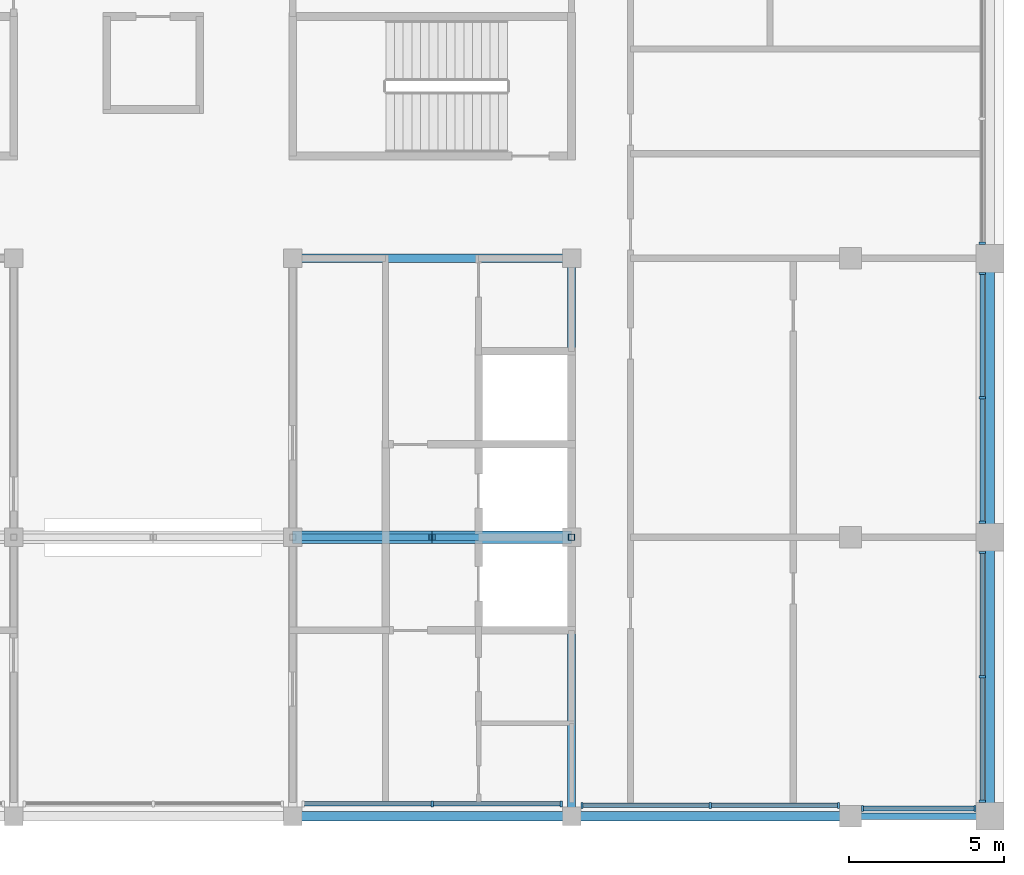
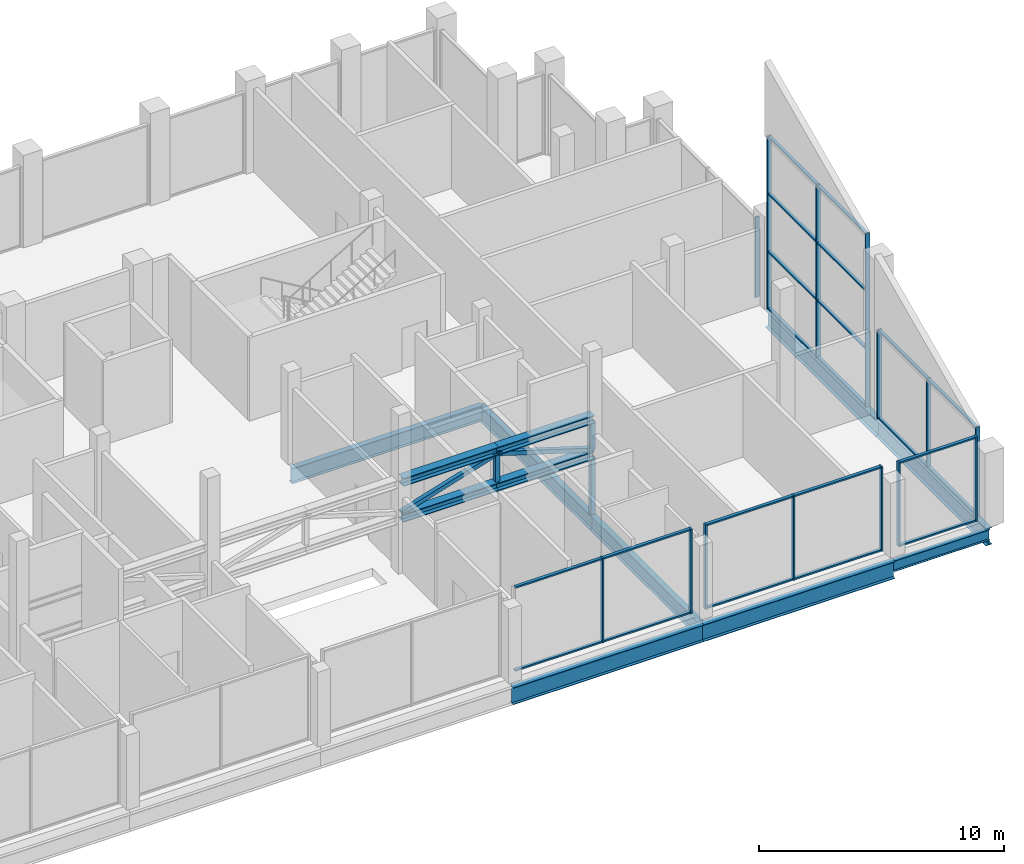
# One storey, part 5 of 14: 45 members, 8 beams, 6 elements without a shape of their own.
"""IFC4 building model written with IfcOpenShell, lengths in metres."""

from ifc_helpers import new_model, si_unit, direction, frame, origin, origin_2d, place, context, subcontext, project, spatial, rectangle, hollow_rectangle, i_section, extrude, material, layer, layer_set, material_profile, profile_set, type_object, element, aggregate, save


model = new_model("IFC4")

# Units and contexts
model_context = context("Model", 3, precision=1e-05, world=origin(), true_north=direction((0.0, 1.0)))
body_context = subcontext(model_context, "Body", "Model", "MODEL_VIEW")
ifc_project = project(units=[si_unit("LENGTHUNIT", "METRE"), si_unit("AREAUNIT", "SQUARE_METRE"), si_unit("VOLUMEUNIT", "CUBIC_METRE"), si_unit("PLANEANGLEUNIT", "RADIAN"), si_unit("MASSUNIT", "GRAM", prefix="KILO")], contexts=[model_context])

# Site, building, storey
site_placement = place(None, origin())
site = spatial("IfcSite", under=ifc_project, at=site_placement, CompositionType="ELEMENT")
building_placement = place(site_placement, origin())
building = spatial("IfcBuilding", under=site, at=building_placement, Name="Corbelhall Arena Tower", CompositionType="ELEMENT")
storey_placement = place(building_placement, frame((0.0, 0.0, 376.0)))
storey = spatial("IfcBuildingStorey", under=building, at=storey_placement, Name="L81", CompositionType="ELEMENT", Elevation=376.0)

# Curtain wall, members
ifc_material_1 = material(Name="Aluminium black anodised", Category="aluminium")
ifc_layer = layer(ifc_material_1, 0.179931640625)
ifc_layer_set = layer_set([ifc_layer], Name="EV-CW3 Crown glazing")
curtain_wall_type = type_object("IfcCurtainWallType", Name="EV-CW3 Crown glazing", PredefinedType="NOTDEFINED", material=ifc_layer_set)
curtain_wall_1_placement = place(storey_placement, origin())
curtain_wall_1 = element("IfcCurtainWall", 1, at=curtain_wall_1_placement, inside=storey, type_object=curtain_wall_type, Name="Curtain wall CW3D", PredefinedType="NOTDEFINED")
ifc_material_profile_1 = material_profile(ifc_material_1, rectangle(XDim=0.199951171875, YDim=0.074951171875, at=origin_2d()))
ifc_profile_set_1 = profile_set([ifc_material_profile_1], Name="Aluminium black anodised")
member_type_1 = type_object("IfcMemberType", Name="EV-CW3-MULLION", PredefinedType="MULLION", material=ifc_profile_set_1)
member_1_placement = place(storey_placement, frame((9.0, -8.60009765625, 0.0), z_axis=(0.0, 0.0, 1.0), x_axis=(0.0, 1.0, 0.0)))
member_1 = element("IfcMember", 2, at=member_1_placement, type_object=member_type_1, Name="CW3D mullion 2", PredefinedType="MULLION", context=body_context, shape_type="SweptSolid", body=[
    extrude(rectangle(XDim=0.199951171875, YDim=0.074951171875, at=origin_2d()), origin(), (0.0, 0.0, 1.0), 4.20654296875),
])
member_2_placement = place(storey_placement, frame((13.16259765625, -8.60009765625, 0.0), z_axis=(0.0, 0.0, 1.0), x_axis=(0.0, 1.0, 0.0)))
member_2 = element("IfcMember", 3, at=member_2_placement, type_object=member_type_1, Name="CW3D mullion 3", PredefinedType="MULLION", context=body_context, shape_type="SweptSolid", body=[
    extrude(rectangle(XDim=0.199951171875, YDim=0.074951171875, at=origin_2d()), origin(), (0.0, 0.0, 1.0), 4.20654296875),
])

curtain_wall_2_placement = place(storey_placement, origin())
curtain_wall_2 = element("IfcCurtainWall", 4, at=curtain_wall_2_placement, inside=storey, type_object=curtain_wall_type, Name="Curtain wall CW3H", PredefinedType="NOTDEFINED")
member_3_placement = place(storey_placement, frame((13.83740234375, -8.64990234375, 0.0), z_axis=(0.0, 0.0, 1.0), x_axis=(0.0, 1.0, 0.0)))
member_3 = element("IfcMember", 5, at=member_3_placement, type_object=member_type_1, Name="CW3H mullion 1", PredefinedType="MULLION", context=body_context, shape_type="SweptSolid", body=[
    extrude(rectangle(XDim=0.199951171875, YDim=0.074951171875, at=origin_2d()), origin(), (0.0, 0.0, 1.0), 4.20654296875),
])
member_4_placement = place(storey_placement, frame((17.97509765625, -8.64990234375, 0.0), z_axis=(0.0, 0.0, 1.0), x_axis=(0.0, 1.0, 0.0)))
member_4 = element("IfcMember", 6, at=member_4_placement, type_object=member_type_1, Name="CW3H mullion 2", PredefinedType="MULLION", context=body_context, shape_type="SweptSolid", body=[
    extrude(rectangle(XDim=0.199951171875, YDim=0.074951171875, at=origin_2d()), origin(), (0.0, 0.0, 1.0), 4.20654296875),
])
member_5_placement = place(storey_placement, frame((22.112548828125, -8.64990234375, 0.0), z_axis=(0.0, 0.0, 1.0), x_axis=(0.0, 1.0, 0.0)))
member_5 = element("IfcMember", 7, at=member_5_placement, type_object=member_type_1, Name="CW3H mullion 3", PredefinedType="MULLION", context=body_context, shape_type="SweptSolid", body=[
    extrude(rectangle(XDim=0.199951171875, YDim=0.074951171875, at=origin_2d()), origin(), (0.0, 0.0, 1.0), 4.20654296875),
])

curtain_wall_3_placement = place(storey_placement, origin())
curtain_wall_3 = element("IfcCurtainWall", 8, at=curtain_wall_3_placement, inside=storey, type_object=curtain_wall_type, Name="Curtain wall CW3E", PredefinedType="NOTDEFINED")
member_6_placement = place(storey_placement, frame((22.887451171875, -8.75, 0.0), z_axis=(0.0, 0.0, 1.0), x_axis=(0.0, 1.0, 0.0)))
member_6 = element("IfcMember", 9, at=member_6_placement, type_object=member_type_1, Name="CW3E mullion 1", PredefinedType="MULLION", context=body_context, shape_type="SweptSolid", body=[
    extrude(rectangle(XDim=0.199951171875, YDim=0.074951171875, at=origin_2d()), origin(), (0.0, 0.0, 1.0), 4.20654296875),
])
member_7_placement = place(storey_placement, frame((26.512451171875, -8.75, 0.0), z_axis=(0.0, 0.0, 1.0), x_axis=(0.0, 1.0, 0.0)))
member_7 = element("IfcMember", 10, at=member_7_placement, type_object=member_type_1, Name="CW3E mullion 2", PredefinedType="MULLION", context=body_context, shape_type="SweptSolid", body=[
    extrude(rectangle(XDim=0.199951171875, YDim=0.074951171875, at=origin_2d()), origin(), (0.0, 0.0, 1.0), 4.20654296875),
])

curtain_wall_4_placement = place(storey_placement, origin())
curtain_wall_4 = element("IfcCurtainWall", 11, at=curtain_wall_4_placement, inside=storey, type_object=curtain_wall_type, Name="Curtain wall CW3F", PredefinedType="NOTDEFINED")
member_8_placement = place(storey_placement, frame((26.75, -8.512451171875, 0.0), z_axis=(0.0, 0.0, 1.0), x_axis=(-1.0, 0.0, 0.0)))
member_8 = element("IfcMember", 12, at=member_8_placement, type_object=member_type_1, Name="CW3F mullion 1", PredefinedType="MULLION", context=body_context, shape_type="SweptSolid", body=[
    extrude(rectangle(XDim=0.199951171875, YDim=0.074951171875, at=origin_2d()), origin(), (0.0, 0.0, 1.0), 4.439453125),
])
member_9_placement = place(storey_placement, frame((26.75, -4.5, 0.0), z_axis=(0.0, 0.0, 1.0), x_axis=(-1.0, 0.0, 0.0)))
member_9 = element("IfcMember", 13, at=member_9_placement, type_object=member_type_1, Name="CW3F mullion 2", PredefinedType="MULLION", context=body_context, shape_type="SweptSolid", body=[
    extrude(rectangle(XDim=0.199951171875, YDim=0.074951171875, at=origin_2d()), origin(), (0.0, 0.0, 1.0), 4.439453125),
])
member_10_placement = place(storey_placement, frame((26.75, -0.487548828125, 0.0), z_axis=(0.0, 0.0, 1.0), x_axis=(-1.0, 0.0, 0.0)))
member_10 = element("IfcMember", 14, at=member_10_placement, type_object=member_type_1, Name="CW3F mullion 3", PredefinedType="MULLION", context=body_context, shape_type="SweptSolid", body=[
    extrude(rectangle(XDim=0.199951171875, YDim=0.074951171875, at=origin_2d()), origin(), (0.0, 0.0, 1.0), 4.439453125),
])

curtain_wall_5_placement = place(storey_placement, origin())
curtain_wall_5 = element("IfcCurtainWall", 15, at=curtain_wall_5_placement, inside=storey, type_object=curtain_wall_type, Name="Curtain wall CW3G", PredefinedType="NOTDEFINED")
member_11_placement = place(storey_placement, frame((26.75, 0.487548828125, 0.0), z_axis=(0.0, 0.0, 1.0), x_axis=(-1.0, 0.0, 0.0)))
member_11 = element("IfcMember", 16, at=member_11_placement, type_object=member_type_1, Name="CW3G mullion 1", PredefinedType="MULLION", context=body_context, shape_type="SweptSolid", body=[
    extrude(rectangle(XDim=0.199951171875, YDim=0.074951171875, at=origin_2d()), origin(), (0.0, 0.0, 1.0), 8.633056640625),
])
member_12_placement = place(storey_placement, frame((26.75, 4.5, 0.0), z_axis=(0.0, 0.0, 1.0), x_axis=(-1.0, 0.0, 0.0)))
member_12 = element("IfcMember", 17, at=member_12_placement, type_object=member_type_1, Name="CW3G mullion 2", PredefinedType="MULLION", context=body_context, shape_type="SweptSolid", body=[
    extrude(rectangle(XDim=0.199951171875, YDim=0.074951171875, at=origin_2d()), origin(), (0.0, 0.0, 1.0), 8.633056640625),
])
member_13_placement = place(storey_placement, frame((26.75, 8.512451171875, 0.0), z_axis=(0.0, 0.0, 1.0), x_axis=(-1.0, 0.0, 0.0)))
member_13 = element("IfcMember", 18, at=member_13_placement, type_object=member_type_1, Name="CW3G mullion 3", PredefinedType="MULLION", context=body_context, shape_type="SweptSolid", body=[
    extrude(rectangle(XDim=0.199951171875, YDim=0.074951171875, at=origin_2d()), origin(), (0.0, 0.0, 1.0), 8.633056640625),
])

# Curtain wall, member
curtain_wall_6_placement = place(storey_placement, origin())
curtain_wall_6 = element("IfcCurtainWall", 19, at=curtain_wall_6_placement, inside=storey, type_object=curtain_wall_type, Name="Curtain wall CW3", PredefinedType="NOTDEFINED")
member_14_placement = place(storey_placement, frame((26.75, 9.487548828125, 0.0), z_axis=(0.0, 0.0, 1.0), x_axis=(-1.0, 0.0, 0.0)))
member_14 = element("IfcMember", 20, at=member_14_placement, type_object=member_type_1, Name="CW3 mullion 1", PredefinedType="MULLION", context=body_context, shape_type="SweptSolid", body=[
    extrude(rectangle(XDim=0.199951171875, YDim=0.074951171875, at=origin_2d()), origin(), (0.0, 0.0, 1.0), 3.99951171875),
])
aggregate(curtain_wall_6, [member_14])

# Member
ifc_material_profile_2 = material_profile(ifc_material_1, rectangle(XDim=0.14990234375, YDim=0.074951171875, at=origin_2d()))
ifc_profile_set_2 = profile_set([ifc_material_profile_2], Name="Aluminium black anodised")
member_type_2 = type_object("IfcMemberType", Name="EV-CW3-TRANSOM", PredefinedType="USERDEFINED", material=ifc_profile_set_2)
member_15_placement = place(storey_placement, frame((4.875, -8.60009765625, 0.03759765625), z_axis=(1.0, 0.0, 0.0), x_axis=(0.0, 1.0, 0.0)))
member_15 = element("IfcMember", 21, at=member_15_placement, type_object=member_type_2, Name="CW3D transom 1.1", ObjectType="transom", PredefinedType="USERDEFINED", context=body_context, shape_type="SweptSolid", body=[
    extrude(rectangle(XDim=0.14990234375, YDim=0.074951171875, at=origin_2d()), origin(), (0.0, 0.0, 1.0), 4.08740234375),
])

member_16_placement = place(storey_placement, frame((4.875, -8.60009765625, 4.1689453125), z_axis=(1.0, 0.0, 0.0), x_axis=(0.0, 1.0, 0.0)))
member_16 = element("IfcMember", 22, at=member_16_placement, type_object=member_type_2, Name="CW3D transom 1.2", ObjectType="transom", PredefinedType="USERDEFINED", context=body_context, shape_type="SweptSolid", body=[
    extrude(rectangle(XDim=0.14990234375, YDim=0.074951171875, at=origin_2d()), origin(), (0.0, 0.0, 1.0), 4.08740234375),
])

member_17_placement = place(storey_placement, frame((9.03759765625, -8.60009765625, 0.03759765625), z_axis=(1.0, 0.0, 0.0), x_axis=(0.0, 1.0, 0.0)))
member_17 = element("IfcMember", 23, at=member_17_placement, type_object=member_type_2, Name="CW3D transom 2.1", ObjectType="transom", PredefinedType="USERDEFINED", context=body_context, shape_type="SweptSolid", body=[
    extrude(rectangle(XDim=0.14990234375, YDim=0.074951171875, at=origin_2d()), origin(), (0.0, 0.0, 1.0), 4.08740234375),
])

member_18_placement = place(storey_placement, frame((9.03759765625, -8.60009765625, 4.1689453125), z_axis=(1.0, 0.0, 0.0), x_axis=(0.0, 1.0, 0.0)))
member_18 = element("IfcMember", 24, at=member_18_placement, type_object=member_type_2, Name="CW3D transom 2.2", ObjectType="transom", PredefinedType="USERDEFINED", context=body_context, shape_type="SweptSolid", body=[
    extrude(rectangle(XDim=0.14990234375, YDim=0.074951171875, at=origin_2d()), origin(), (0.0, 0.0, 1.0), 4.08740234375),
])

aggregate(curtain_wall_1, [member_1, member_2, member_15, member_16, member_17, member_18])

member_19_placement = place(storey_placement, frame((13.875, -8.64990234375, 0.03759765625), z_axis=(1.0, 0.0, 0.0), x_axis=(0.0, 1.0, 0.0)))
member_19 = element("IfcMember", 25, at=member_19_placement, type_object=member_type_2, Name="CW3H transom 1.1", ObjectType="transom", PredefinedType="USERDEFINED", context=body_context, shape_type="SweptSolid", body=[
    extrude(rectangle(XDim=0.14990234375, YDim=0.074951171875, at=origin_2d()), origin(), (0.0, 0.0, 1.0), 4.0625),
])

member_20_placement = place(storey_placement, frame((13.875, -8.64990234375, 4.1689453125), z_axis=(1.0, 0.0, 0.0), x_axis=(0.0, 1.0, 0.0)))
member_20 = element("IfcMember", 26, at=member_20_placement, type_object=member_type_2, Name="CW3H transom 1.2", ObjectType="transom", PredefinedType="USERDEFINED", context=body_context, shape_type="SweptSolid", body=[
    extrude(rectangle(XDim=0.14990234375, YDim=0.074951171875, at=origin_2d()), origin(), (0.0, 0.0, 1.0), 4.0625),
])

member_21_placement = place(storey_placement, frame((18.012451171875, -8.64990234375, 0.03759765625), z_axis=(1.0, 0.0, 0.0), x_axis=(0.0, 1.0, 0.0)))
member_21 = element("IfcMember", 27, at=member_21_placement, type_object=member_type_2, Name="CW3H transom 2.1", ObjectType="transom", PredefinedType="USERDEFINED", context=body_context, shape_type="SweptSolid", body=[
    extrude(rectangle(XDim=0.14990234375, YDim=0.074951171875, at=origin_2d()), origin(), (0.0, 0.0, 1.0), 4.0625),
])

member_22_placement = place(storey_placement, frame((18.012451171875, -8.64990234375, 4.1689453125), z_axis=(1.0, 0.0, 0.0), x_axis=(0.0, 1.0, 0.0)))
member_22 = element("IfcMember", 28, at=member_22_placement, type_object=member_type_2, Name="CW3H transom 2.2", ObjectType="transom", PredefinedType="USERDEFINED", context=body_context, shape_type="SweptSolid", body=[
    extrude(rectangle(XDim=0.14990234375, YDim=0.074951171875, at=origin_2d()), origin(), (0.0, 0.0, 1.0), 4.0625),
])

aggregate(curtain_wall_2, [member_3, member_4, member_5, member_19, member_20, member_21, member_22])

member_23_placement = place(storey_placement, frame((22.925048828125, -8.75, 0.03759765625), z_axis=(1.0, 0.0, 0.0), x_axis=(0.0, 1.0, 0.0)))
member_23 = element("IfcMember", 29, at=member_23_placement, type_object=member_type_2, Name="CW3E transom 1.1", ObjectType="transom", PredefinedType="USERDEFINED", context=body_context, shape_type="SweptSolid", body=[
    extrude(rectangle(XDim=0.14990234375, YDim=0.074951171875, at=origin_2d()), origin(), (0.0, 0.0, 1.0), 3.550048828125),
])

member_24_placement = place(storey_placement, frame((22.925048828125, -8.75, 4.1689453125), z_axis=(1.0, 0.0, 0.0), x_axis=(0.0, 1.0, 0.0)))
member_24 = element("IfcMember", 30, at=member_24_placement, type_object=member_type_2, Name="CW3E transom 1.2", ObjectType="transom", PredefinedType="USERDEFINED", context=body_context, shape_type="SweptSolid", body=[
    extrude(rectangle(XDim=0.14990234375, YDim=0.074951171875, at=origin_2d()), origin(), (0.0, 0.0, 1.0), 3.550048828125),
])

aggregate(curtain_wall_3, [member_6, member_7, member_23, member_24])

member_25_placement = place(storey_placement, frame((26.75, -8.47509765625, 0.03759765625), z_axis=(0.0, 1.0, 0.0), x_axis=(-1.0, 0.0, 0.0)))
member_25 = element("IfcMember", 31, at=member_25_placement, type_object=member_type_2, Name="CW3F transom 1.1", ObjectType="transom", PredefinedType="USERDEFINED", context=body_context, shape_type="SweptSolid", body=[
    extrude(rectangle(XDim=0.14990234375, YDim=0.074951171875, at=origin_2d()), origin(), (0.0, 0.0, 1.0), 3.9375),
])

member_26_placement = place(storey_placement, frame((26.75, -8.47509765625, 4.40185546875), z_axis=(0.0, 1.0, 0.0), x_axis=(-1.0, 0.0, 0.0)))
member_26 = element("IfcMember", 32, at=member_26_placement, type_object=member_type_2, Name="CW3F transom 1.2", ObjectType="transom", PredefinedType="USERDEFINED", context=body_context, shape_type="SweptSolid", body=[
    extrude(rectangle(XDim=0.14990234375, YDim=0.074951171875, at=origin_2d()), origin(), (0.0, 0.0, 1.0), 3.9375),
])

member_27_placement = place(storey_placement, frame((26.75, -4.46240234375, 0.03759765625), z_axis=(0.0, 1.0, 0.0), x_axis=(-1.0, 0.0, 0.0)))
member_27 = element("IfcMember", 33, at=member_27_placement, type_object=member_type_2, Name="CW3F transom 2.1", ObjectType="transom", PredefinedType="USERDEFINED", context=body_context, shape_type="SweptSolid", body=[
    extrude(rectangle(XDim=0.14990234375, YDim=0.074951171875, at=origin_2d()), origin(), (0.0, 0.0, 1.0), 3.9375),
])

member_28_placement = place(storey_placement, frame((26.75, -4.46240234375, 4.40185546875), z_axis=(0.0, 1.0, 0.0), x_axis=(-1.0, 0.0, 0.0)))
member_28 = element("IfcMember", 34, at=member_28_placement, type_object=member_type_2, Name="CW3F transom 2.2", ObjectType="transom", PredefinedType="USERDEFINED", context=body_context, shape_type="SweptSolid", body=[
    extrude(rectangle(XDim=0.14990234375, YDim=0.074951171875, at=origin_2d()), origin(), (0.0, 0.0, 1.0), 3.9375),
])

aggregate(curtain_wall_4, [member_8, member_9, member_10, member_25, member_26, member_27, member_28])

member_29_placement = place(storey_placement, frame((26.75, 0.52490234375, 0.03759765625), z_axis=(0.0, 1.0, 0.0), x_axis=(-1.0, 0.0, 0.0)))
member_29 = element("IfcMember", 35, at=member_29_placement, type_object=member_type_2, Name="CW3G transom 1.1", ObjectType="transom", PredefinedType="USERDEFINED", context=body_context, shape_type="SweptSolid", body=[
    extrude(rectangle(XDim=0.14990234375, YDim=0.074951171875, at=origin_2d()), origin(), (0.0, 0.0, 1.0), 3.9375),
])

member_30_placement = place(storey_placement, frame((26.75, 0.52490234375, 2.877685546875), z_axis=(0.0, 1.0, 0.0), x_axis=(-1.0, 0.0, 0.0)))
member_30 = element("IfcMember", 36, at=member_30_placement, type_object=member_type_2, Name="CW3G transom 1.2", ObjectType="transom", PredefinedType="USERDEFINED", context=body_context, shape_type="SweptSolid", body=[
    extrude(rectangle(XDim=0.14990234375, YDim=0.074951171875, at=origin_2d()), origin(), (0.0, 0.0, 1.0), 3.9375),
])

member_31_placement = place(storey_placement, frame((26.75, 0.52490234375, 5.75537109375), z_axis=(0.0, 1.0, 0.0), x_axis=(-1.0, 0.0, 0.0)))
member_31 = element("IfcMember", 37, at=member_31_placement, type_object=member_type_2, Name="CW3G transom 1.3", ObjectType="transom", PredefinedType="USERDEFINED", context=body_context, shape_type="SweptSolid", body=[
    extrude(rectangle(XDim=0.14990234375, YDim=0.074951171875, at=origin_2d()), origin(), (0.0, 0.0, 1.0), 3.9375),
])

member_32_placement = place(storey_placement, frame((26.75, 0.52490234375, 8.595458984375), z_axis=(0.0, 1.0, 0.0), x_axis=(-1.0, 0.0, 0.0)))
member_32 = element("IfcMember", 38, at=member_32_placement, type_object=member_type_2, Name="CW3G transom 1.4", ObjectType="transom", PredefinedType="USERDEFINED", context=body_context, shape_type="SweptSolid", body=[
    extrude(rectangle(XDim=0.14990234375, YDim=0.074951171875, at=origin_2d()), origin(), (0.0, 0.0, 1.0), 3.9375),
])

member_33_placement = place(storey_placement, frame((26.75, 4.53759765625, 0.03759765625), z_axis=(0.0, 1.0, 0.0), x_axis=(-1.0, 0.0, 0.0)))
member_33 = element("IfcMember", 39, at=member_33_placement, type_object=member_type_2, Name="CW3G transom 2.1", ObjectType="transom", PredefinedType="USERDEFINED", context=body_context, shape_type="SweptSolid", body=[
    extrude(rectangle(XDim=0.14990234375, YDim=0.074951171875, at=origin_2d()), origin(), (0.0, 0.0, 1.0), 3.9375),
])

member_34_placement = place(storey_placement, frame((26.75, 4.53759765625, 2.877685546875), z_axis=(0.0, 1.0, 0.0), x_axis=(-1.0, 0.0, 0.0)))
member_34 = element("IfcMember", 40, at=member_34_placement, type_object=member_type_2, Name="CW3G transom 2.2", ObjectType="transom", PredefinedType="USERDEFINED", context=body_context, shape_type="SweptSolid", body=[
    extrude(rectangle(XDim=0.14990234375, YDim=0.074951171875, at=origin_2d()), origin(), (0.0, 0.0, 1.0), 3.9375),
])

member_35_placement = place(storey_placement, frame((26.75, 4.53759765625, 5.75537109375), z_axis=(0.0, 1.0, 0.0), x_axis=(-1.0, 0.0, 0.0)))
member_35 = element("IfcMember", 41, at=member_35_placement, type_object=member_type_2, Name="CW3G transom 2.3", ObjectType="transom", PredefinedType="USERDEFINED", context=body_context, shape_type="SweptSolid", body=[
    extrude(rectangle(XDim=0.14990234375, YDim=0.074951171875, at=origin_2d()), origin(), (0.0, 0.0, 1.0), 3.9375),
])

member_36_placement = place(storey_placement, frame((26.75, 4.53759765625, 8.595458984375), z_axis=(0.0, 1.0, 0.0), x_axis=(-1.0, 0.0, 0.0)))
member_36 = element("IfcMember", 42, at=member_36_placement, type_object=member_type_2, Name="CW3G transom 2.4", ObjectType="transom", PredefinedType="USERDEFINED", context=body_context, shape_type="SweptSolid", body=[
    extrude(rectangle(XDim=0.14990234375, YDim=0.074951171875, at=origin_2d()), origin(), (0.0, 0.0, 1.0), 3.9375),
])

aggregate(curtain_wall_5, [member_11, member_12, member_13, member_29, member_30, member_31, member_32, member_33, member_34, member_35, member_36])

# Beams
ifc_material_2 = material(Name="Steel ASTM A992 Gr50", Category="steel")
ifc_material_profile_3 = material_profile(ifc_material_2, i_section(OverallWidth=0.2666015625, OverallDepth=0.761962890625, WebThickness=0.014404296875, FlangeThickness=0.021484375, at=origin_2d()))
ifc_profile_set_3 = profile_set([ifc_material_profile_3], Name="Steel ASTM A992 Gr50")
beam_type_1 = type_object("IfcBeamType", Name="ST-BEAM-W30x116", PredefinedType="BEAM", material=ifc_profile_set_3)
for number, where, z_axis, x_axis, name in (
    (43, (13.5, -9.0, -0.781494140625), (0.0, 1.0, 0.0), (-1.0, 0.0, 0.0), "Beam CEE 8"),
    (44, (13.5, 0.0, -0.781494140625), (0.0, 1.0, 0.0), (-1.0, 0.0, 0.0), "Beam CEE 9"),
    (45, (4.5, 9.0, -0.781494140625), (1.0, 0.0, 0.0), (0.0, 1.0, 0.0), "Beam CEE 10"),
):
    element("IfcBeam", number, at=place(storey_placement, frame(where, z_axis=z_axis, x_axis=x_axis)), inside=storey, type_object=beam_type_1, Name=name, PredefinedType="BEAM", context=body_context, shape_type="SweptSolid", body=[
        extrude(i_section(OverallWidth=0.2666015625, OverallDepth=0.761962890625, WebThickness=0.014404296875, FlangeThickness=0.021484375, at=origin_2d()), origin(), (0.0, 0.0, 1.0), 9.0),
    ])

# Members
ifc_material_profile_4 = material_profile(ifc_material_2, i_section(OverallWidth=0.398681640625, OverallDepth=0.393798828125, WebThickness=0.022705078125, FlangeThickness=0.03662109375, at=origin_2d()))
ifc_profile_set_4 = profile_set([ifc_material_profile_4], Name="Steel ASTM A992 Gr50")
member_type_3 = type_object("IfcMemberType", Name="ST-CHORD-W14x193", PredefinedType="CHORD", material=ifc_profile_set_4)
for number, where, z_axis, x_axis, name in (
    (46, (4.5, 0.0, 2.616943359375), (1.0, 0.0, 0.0), (0.0, 1.0, 0.0), "Damper truss chord BC 5"),
    (47, (9.0, 0.0, 2.616943359375), (1.0, 0.0, 0.0), (0.0, 1.0, 0.0), "Damper truss chord BC 6"),
    (48, (4.5, 0.0, 4.40283203125), (1.0, 0.0, 0.0), (0.0, 1.0, 0.0), "Damper truss chord TC 5"),
    (49, (9.0, 0.0, 4.40283203125), (1.0, 0.0, 0.0), (0.0, 1.0, 0.0), "Damper truss chord TC 6"),
):
    element("IfcMember", number, at=place(storey_placement, frame(where, z_axis=z_axis, x_axis=x_axis)), inside=storey, type_object=member_type_3, Name=name, PredefinedType="CHORD", context=body_context, shape_type="SweptSolid", body=[
        extrude(i_section(OverallWidth=0.398681640625, OverallDepth=0.393798828125, WebThickness=0.022705078125, FlangeThickness=0.03662109375, at=origin_2d()), origin(), (0.0, 0.0, 1.0), 4.5),
    ])
ifc_material_3 = material(Name="Steel ASTM A500 Gr C", Category="steel")
ifc_material_profile_5 = material_profile(ifc_material_3, hollow_rectangle(XDim=0.203125, YDim=0.203125, WallThickness=0.0087890625, at=origin_2d()))
ifc_profile_set_5 = profile_set([ifc_material_profile_5], Name="Steel ASTM A500 Gr C")
member_type_4 = type_object("IfcMemberType", Name="ST-POST-HSS8x8x3/8", PredefinedType="POST", material=ifc_profile_set_5)
member_37_placement = place(storey_placement, frame((13.5, 0.0, -0.400390625), z_axis=(0.0, 0.0, 1.0), x_axis=(1.0, 0.0, 0.0)))
element("IfcMember", 50, at=member_37_placement, inside=storey, type_object=member_type_4, Name="Damper truss foot post 2", PredefinedType="POST", context=body_context, shape_type="SweptSolid", body=[
    extrude(hollow_rectangle(XDim=0.203125, YDim=0.203125, WallThickness=0.0087890625, at=origin_2d()), origin(), (0.0, 0.0, 1.0), 2.8203125),
])
for number, where, z_axis, x_axis, name in (
    (51, (9.0, 0.0, 2.813720703125), (0.0, 0.0, 1.0), (1.0, 0.0, 0.0), "Damper truss post 6"),
    (52, (13.5, 0.0, 2.813720703125), (0.0, 0.0, 1.0), (1.0, 0.0, 0.0), "Damper truss post 7"),
):
    element("IfcMember", number, at=place(storey_placement, frame(where, z_axis=z_axis, x_axis=x_axis)), inside=storey, type_object=member_type_4, Name=name, PredefinedType="POST", context=body_context, shape_type="SweptSolid", body=[
        extrude(hollow_rectangle(XDim=0.203125, YDim=0.203125, WallThickness=0.0087890625, at=origin_2d()), origin(), (0.0, 0.0, 1.0), 1.39208984375),
    ])

# Beams
ifc_material_profile_6 = material_profile(ifc_material_2, i_section(OverallWidth=0.2099609375, OverallDepth=0.535888671875, WebThickness=0.010986328125, FlangeThickness=0.017333984375, at=origin_2d()))
ifc_profile_set_6 = profile_set([ifc_material_profile_6], Name="Steel ASTM A992 Gr50")
beam_type_2 = type_object("IfcBeamType", Name="ST-SPANDREL-W21x68", PredefinedType="SPANDREL", material=ifc_profile_set_6)
beam_placement = place(storey_placement, frame((27.0, -9.0, -0.66845703125), z_axis=(-1.0, 0.0, 0.0), x_axis=(0.0, -1.0, 0.0)))
element("IfcBeam", 53, at=beam_placement, inside=storey, type_object=beam_type_2, Name="Beam SP 10", PredefinedType="SPANDREL", context=body_context, shape_type="SweptSolid", body=[
    extrude(i_section(OverallWidth=0.2099609375, OverallDepth=0.535888671875, WebThickness=0.010986328125, FlangeThickness=0.017333984375, at=origin_2d()), origin(), (0.0, 0.0, 1.0), 4.5),
])
ifc_material_profile_7 = material_profile(ifc_material_2, i_section(OverallWidth=0.2919921875, OverallDepth=0.845703125, WebThickness=0.015380859375, FlangeThickness=0.0244140625, at=origin_2d()))
ifc_profile_set_7 = profile_set([ifc_material_profile_7], Name="Steel ASTM A992 Gr50")
beam_type_3 = type_object("IfcBeamType", Name="ST-SPANDREL-W33x141", PredefinedType="SPANDREL", material=ifc_profile_set_7)
for number, where, z_axis, x_axis, name in (
    (54, (22.5, -9.0, -0.8232421875), (-1.0, 0.0, 0.0), (0.0, -1.0, 0.0), "Beam SP 1"),
    (55, (13.5, -9.0, -0.8232421875), (-1.0, 0.0, 0.0), (0.0, -1.0, 0.0), "Beam SP 4"),
    (56, (27.0, 0.0, -0.8232421875), (0.0, -1.0, 0.0), (1.0, 0.0, 0.0), "Beam SP 7"),
    (57, (27.0, 9.0, -0.8232421875), (0.0, -1.0, 0.0), (1.0, 0.0, 0.0), "Beam SP 8"),
):
    element("IfcBeam", number, at=place(storey_placement, frame(where, z_axis=z_axis, x_axis=x_axis)), inside=storey, type_object=beam_type_3, Name=name, PredefinedType="SPANDREL", context=body_context, shape_type="SweptSolid", body=[
        extrude(i_section(OverallWidth=0.2919921875, OverallDepth=0.845703125, WebThickness=0.015380859375, FlangeThickness=0.0244140625, at=origin_2d()), origin(), (0.0, 0.0, 1.0), 9.0),
    ])

# Members
ifc_material_profile_8 = material_profile(ifc_material_3, hollow_rectangle(XDim=0.203125, YDim=0.203125, WallThickness=0.0087890625, at=origin_2d()))
ifc_profile_set_8 = profile_set([ifc_material_profile_8], Name="Steel ASTM A500 Gr C")
member_type_5 = type_object("IfcMemberType", Name="ST-STRUT-HSS8x8x3/8", PredefinedType="STRUT", material=ifc_profile_set_8)
for number, where, z_axis, x_axis, name in (
    (58, (4.5, 0.0, 2.813720703125), (0.955331890716, 0.0, 0.295535071661), (0.0, 1.0, 0.0), "Damper truss diagonal 5"),
    (59, (13.5, 0.0, 2.813720703125), (-0.955331890716, 0.0, 0.295535071661), (0.0, -1.0, 0.0), "Damper truss diagonal 6"),
):
    element("IfcMember", number, at=place(storey_placement, frame(where, z_axis=z_axis, x_axis=x_axis)), inside=storey, type_object=member_type_5, Name=name, PredefinedType="STRUT", context=body_context, shape_type="SweptSolid", body=[
        extrude(hollow_rectangle(XDim=0.203125, YDim=0.203125, WallThickness=0.0087890625, at=origin_2d()), origin(), (0.0, 0.0, 1.0), 4.71044921875),
    ])

save(model, "model.ifc")
